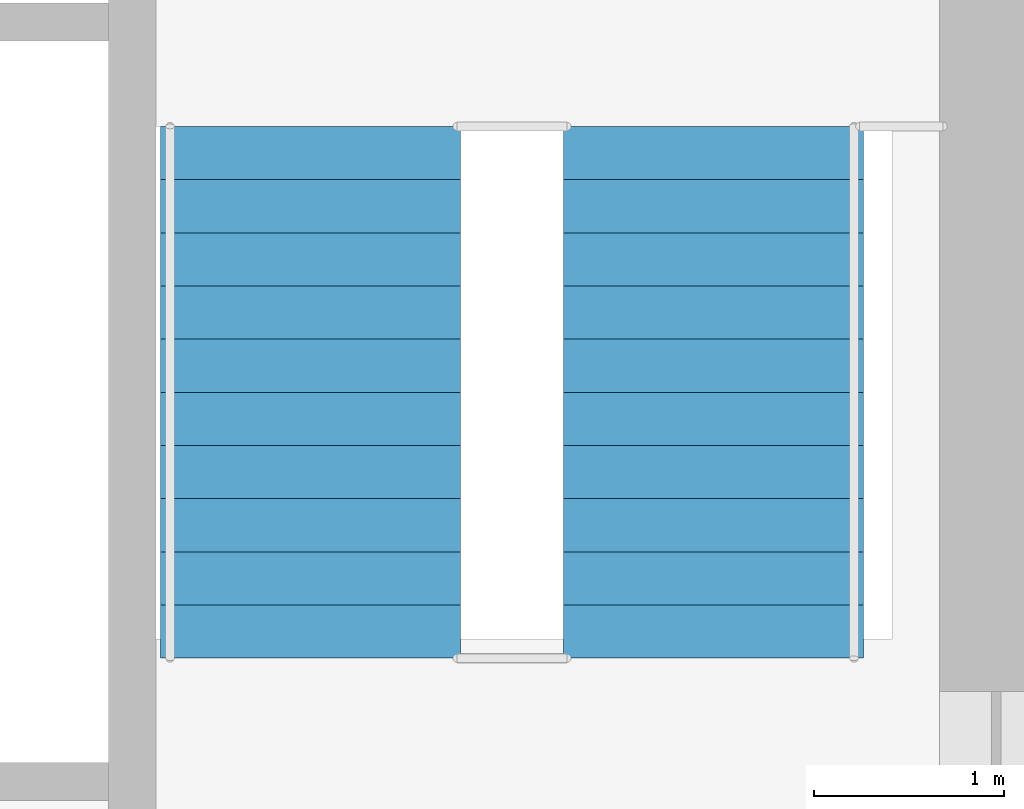
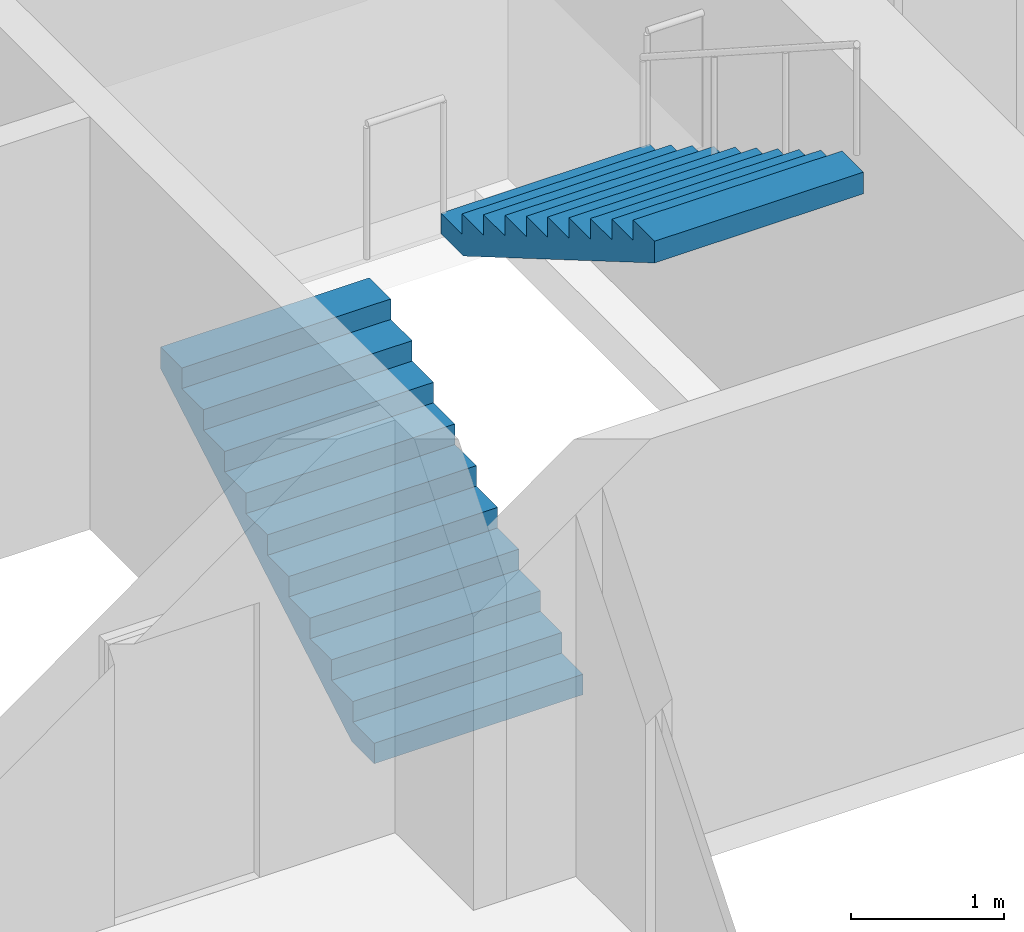
# One storey, part 15 of 18: 2 stair flights, 1 element without a shape of its own.
"""IFC4 building model written with IfcOpenShell, lengths in metres."""

from ifc_helpers import new_model, si_unit, direction, frame, origin, place, context, subcontext, project, spatial, polyline, outline, extrude, material, type_object, element, aggregate, save


model = new_model("IFC4")

# Units and contexts
model_context = context("Model", 3, precision=1e-05, world=origin(), true_north=direction((0.0, 1.0)))
body_context = subcontext(model_context, "Body", "Model", "MODEL_VIEW")
ifc_project = project(units=[si_unit("LENGTHUNIT", "METRE"), si_unit("AREAUNIT", "SQUARE_METRE"), si_unit("VOLUMEUNIT", "CUBIC_METRE"), si_unit("PLANEANGLEUNIT", "RADIAN"), si_unit("MASSUNIT", "GRAM", prefix="KILO")], contexts=[model_context])

# Site, building, storey
site_placement = place(None, origin())
site = spatial("IfcSite", under=ifc_project, at=site_placement, CompositionType="ELEMENT")
building_placement = place(site_placement, origin())
building = spatial("IfcBuilding", under=site, at=building_placement, Name="Pilkhan Gate Tower", CompositionType="ELEMENT")
storey_placement = place(building_placement, frame((0.0, 0.0, 242.699951171875)))
storey = spatial("IfcBuildingStorey", under=building, at=storey_placement, Name="L63", CompositionType="ELEMENT", Elevation=242.699951171875)

# Stair, stair flights
ifc_material = material(Name="Concrete C40/50 precast", Category="concrete")
stair_type = type_object("IfcStairType", Name="Stair ST4 164x280", PredefinedType="HALF_TURN_STAIR", material=ifc_material)
stair_placement = place(storey_placement, origin())
stair = element("IfcStair", 1, at=stair_placement, inside=storey, type_object=stair_type, Name="Stair ST4 L63", PredefinedType="HALF_TURN_STAIR")
stair_flight_type = type_object("IfcStairFlightType", Name="Stair flight ST4 164x280x11", PredefinedType="STRAIGHT", material=ifc_material)
stair_flight_1_placement = place(storey_placement, frame((85.68994140625, 87.39990234375, 0.0), z_axis=(0.0, 0.0, 1.0), x_axis=(0.0, 1.0, 0.0)))
stair_flight_1 = element("IfcStairFlight", 2, at=stair_flight_1_placement, type_object=stair_flight_type, Name="ST4 flight 1", NumberOfRisers=11, NumberOfTreads=10, PredefinedType="STRAIGHT", RiserHeight=0.163636364, TreadLength=0.28, context=body_context, shape_type="SweptSolid", body=[
    extrude(outline(polyline([(0.0, 0.0), (0.0, 0.16357421875), (0.280029296875, 0.16357421875), (0.280029296875, 0.327392578125), (0.56005859375, 0.327392578125), (0.56005859375, 0.490966796875), (0.840087890625, 0.490966796875), (0.840087890625, 0.654541015625), (1.1201171875, 0.654541015625), (1.1201171875, 0.818115234375), (1.39990234375, 0.818115234375), (1.39990234375, 0.98193359375), (1.679931640625, 0.98193359375), (1.679931640625, 1.1455078125), (1.9599609375, 1.1455078125), (1.9599609375, 1.30908203125), (2.239990234375, 1.30908203125), (2.239990234375, 1.47265625), (2.52001953125, 1.47265625), (2.52001953125, 1.636474609375), (2.800048828125, 1.636474609375), (2.800048828125, 1.800048828125), (2.800048828125, 1.462646484375), (0.297119140625, 0.0), (0.0, 0.0)])), frame((0.0, 0.7900390625, 0.0), z_axis=(0.0, -1.0, 0.0), x_axis=(1.0, 0.0, 0.0)), (0.0, 0.0, 1.0), 1.580078125),
])
stair_flight_2_placement = place(storey_placement, frame((87.81005859375, 90.199951171875, 1.800048828125), z_axis=(0.0, 0.0, 1.0), x_axis=(0.0, -1.0, 0.0)))
stair_flight_2 = element("IfcStairFlight", 3, at=stair_flight_2_placement, type_object=stair_flight_type, Name="ST4 flight 2", NumberOfRisers=11, NumberOfTreads=10, PredefinedType="STRAIGHT", RiserHeight=0.163636364, TreadLength=0.28, context=body_context, shape_type="SweptSolid", body=[
    extrude(outline(polyline([(0.0, 0.0), (0.0, 0.16357421875), (0.280029296875, 0.16357421875), (0.280029296875, 0.327392578125), (0.56005859375, 0.327392578125), (0.56005859375, 0.490966796875), (0.840087890625, 0.490966796875), (0.840087890625, 0.654541015625), (1.1201171875, 0.654541015625), (1.1201171875, 0.818115234375), (1.39990234375, 0.818115234375), (1.39990234375, 0.98193359375), (1.679931640625, 0.98193359375), (1.679931640625, 1.1455078125), (1.9599609375, 1.1455078125), (1.9599609375, 1.30908203125), (2.239990234375, 1.30908203125), (2.239990234375, 1.47265625), (2.52001953125, 1.47265625), (2.52001953125, 1.636474609375), (2.800048828125, 1.636474609375), (2.800048828125, 1.800048828125), (2.800048828125, 1.462646484375), (0.297119140625, 0.0), (0.0, 0.0)])), frame((0.0, 0.7900390625, 0.0), z_axis=(0.0, -1.0, 0.0), x_axis=(1.0, 0.0, 0.0)), (0.0, 0.0, 1.0), 1.580078125),
])
aggregate(stair, [stair_flight_1, stair_flight_2])

save(model, "model.ifc")
